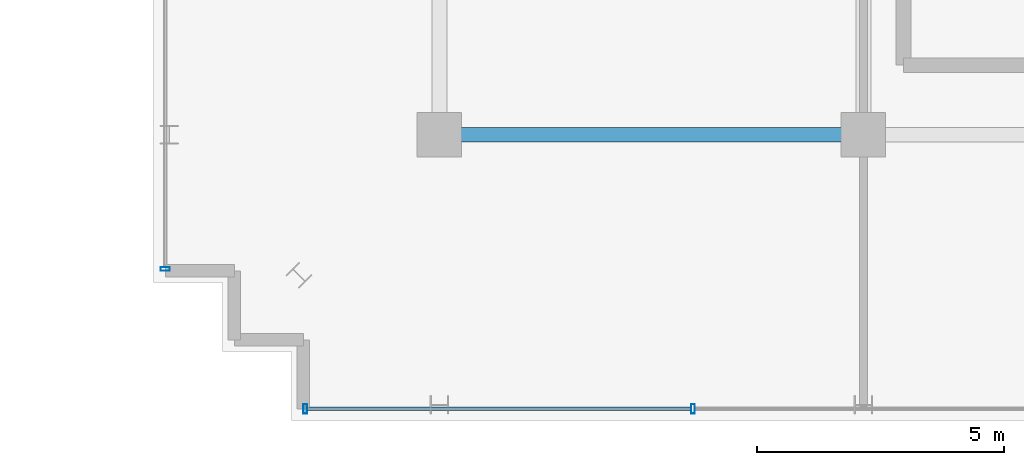
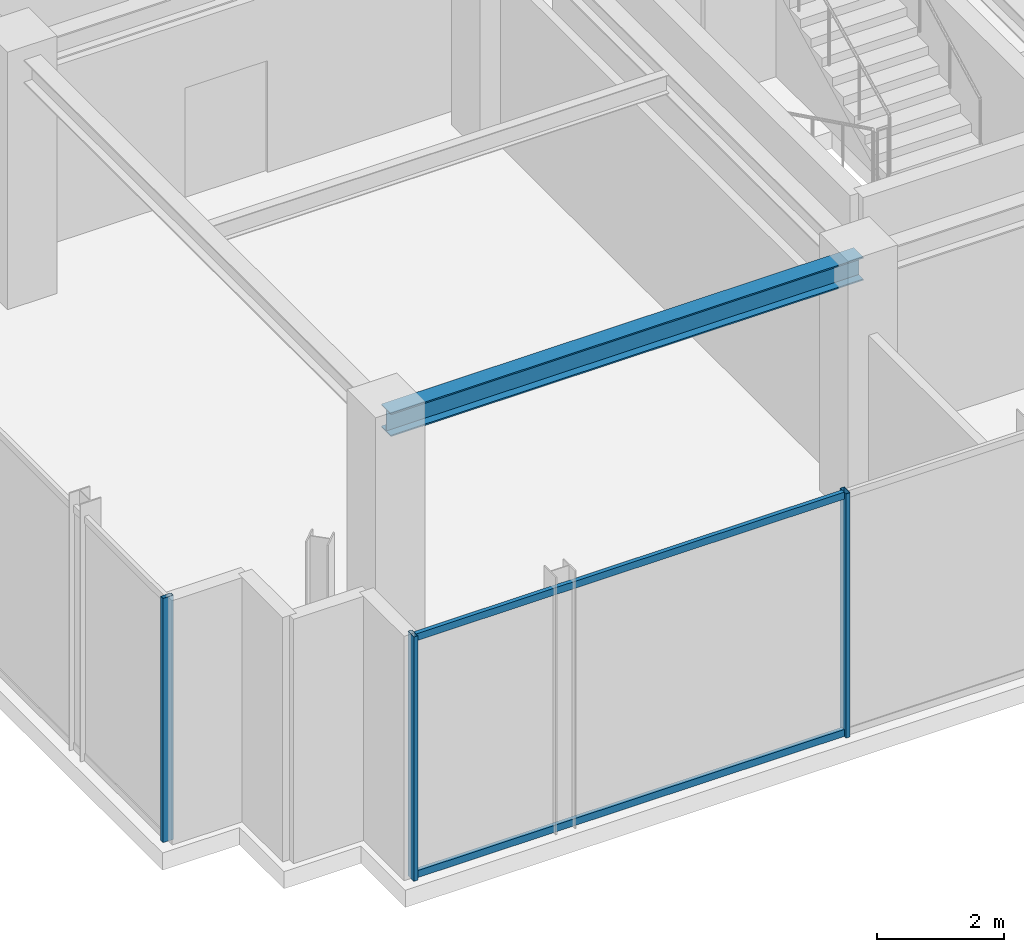
# One storey, part 4 of 28: 5 members, 1 beam, 2 elements without a shape of their own.
"""IFC4 building model written with IfcOpenShell, lengths in metres."""

from ifc_helpers import new_model, si_unit, direction, frame, origin, origin_2d, place, context, subcontext, project, spatial, hollow_rectangle, i_section, extrude, source, transform, mapped, material, material_profile, profile_set, type_object, element, aggregate, save


model = new_model("IFC4")

# Units and contexts
model_context = context("Model", 3, precision=1e-05, world=origin(), true_north=direction((0.0, 1.0)))
body_context = subcontext(model_context, "Body", "Model", "MODEL_VIEW")
ifc_project = project(units=[si_unit("LENGTHUNIT", "METRE"), si_unit("AREAUNIT", "SQUARE_METRE"), si_unit("VOLUMEUNIT", "CUBIC_METRE"), si_unit("PLANEANGLEUNIT", "RADIAN"), si_unit("MASSUNIT", "GRAM", prefix="KILO")], contexts=[model_context])

# Site, building, storey
site_placement = place(None, origin())
site = spatial("IfcSite", under=ifc_project, at=site_placement, CompositionType="ELEMENT")
building_placement = place(site_placement, origin())
building = spatial("IfcBuilding", under=site, at=building_placement, Name="Nahalor Promenade Grand Hotel", CompositionType="ELEMENT")
storey_placement = place(building_placement, frame((0.0, 0.0, 352.050048828125)))
storey = spatial("IfcBuildingStorey", under=building, at=storey_placement, Name="L90", CompositionType="ELEMENT", Elevation=352.050048828125)

# Beam
ifc_material_1 = material(Name="Steel S355JR", Category="steel")
ifc_material_profile_1 = material_profile(ifc_material_1, i_section(OverallWidth=0.3, OverallDepth=0.45, WebThickness=0.014, FlangeThickness=0.026, at=origin_2d()), Name="HEB 450")
ifc_profile_set_1 = profile_set([ifc_material_profile_1], Name="Steel S355JR")
beam_type = type_object("IfcBeamType", Name="Beam-Girder-HEB450", PredefinedType="BEAM", material=ifc_profile_set_1)
shared_shape_1 = source(origin(), body_context, "Body", "SweptSolid", [
    extrude(i_section(OverallWidth=0.3, OverallDepth=0.45, WebThickness=0.014, FlangeThickness=0.026, at=origin_2d()), origin(), (0.0, 0.0, 1.0), 8.60009765625),
])
beam_placement = place(storey_placement, frame((-17.0, -17.0, 4.474853515625), z_axis=(1.0, 0.0, 0.0), x_axis=(0.0, 1.0, 0.0)))
element("IfcBeam", 1, at=beam_placement, inside=storey, type_object=beam_type, Name="BM-L90-GX-0-0", PredefinedType="BEAM", context=body_context, shape_type="MappedRepresentation", body=[
    mapped(shared_shape_1, transform((0.0, 0.0, 0.0), scale=1.0)),
])

# Curtain wall, members
ifc_material_2 = material(Name="Anodised Bronze Aluminium EN AW-6063 T6", Category="aluminium")
curtain_wall_type = type_object("IfcCurtainWallType", Name="CW6 Crown Botanical Conservatory Curtain Wall", PredefinedType="USERDEFINED", material=ifc_material_2)
curtain_wall_1_placement = place(storey_placement, origin())
curtain_wall_1 = element("IfcCurtainWall", 2, at=curtain_wall_1_placement, inside=storey, type_object=curtain_wall_type, Name="L90 Curtain Wall CW-L90-S-1", ObjectType="UNITISED_CURTAIN_WALL", PredefinedType="USERDEFINED")
ifc_material_profile_2 = material_profile(ifc_material_2, hollow_rectangle(XDim=0.075, YDim=0.19, WallThickness=0.005, at=origin_2d()), Name="CWM 75x190x5")
ifc_profile_set_2 = profile_set([ifc_material_profile_2], Name="Anodised Bronze Aluminium EN AW-6063 T6")
member_type_1 = type_object("IfcMemberType", Name="CWM6 Conservatory Bronze Mullion 75x190", PredefinedType="MULLION", material=ifc_profile_set_2)
shared_shape_2 = source(origin(), body_context, "Body", "SweptSolid", [
    extrude(hollow_rectangle(XDim=0.075, YDim=0.19, WallThickness=0.005, at=origin_2d()), origin(), (0.0, 0.0, 1.0), 4.699951171875),
])
member_1_placement = place(storey_placement, frame((-19.722412109375, -22.56005859375, 0.0), z_axis=(0.0, 0.0, 1.0), x_axis=(1.0, 0.0, 0.0)))
member_1 = element("IfcMember", 3, at=member_1_placement, type_object=member_type_1, Name="CW-L90-S-1 Mullion 0", PredefinedType="MULLION", context=body_context, shape_type="MappedRepresentation", body=[
    mapped(shared_shape_2, transform((0.0, 0.0, 0.0), scale=1.0)),
])
member_2_placement = place(storey_placement, frame((-11.85595703125, -22.56005859375, 0.0), z_axis=(0.0, 0.0, 1.0), x_axis=(1.0, 0.0, 0.0)))
member_2 = element("IfcMember", 4, at=member_2_placement, type_object=member_type_1, Name="CW-L90-S-1 Mullion 1", PredefinedType="MULLION", context=body_context, shape_type="MappedRepresentation", body=[
    mapped(shared_shape_2, transform((0.0, 0.0, 0.0), scale=1.0)),
])

# Curtain wall, member
curtain_wall_2_placement = place(storey_placement, origin())
curtain_wall_2 = element("IfcCurtainWall", 5, at=curtain_wall_2_placement, inside=storey, type_object=curtain_wall_type, Name="L90 Curtain Wall CW-L90-W-1", ObjectType="UNITISED_CURTAIN_WALL", PredefinedType="USERDEFINED")
member_3_placement = place(storey_placement, frame((-22.56005859375, -19.722412109375, 0.0), z_axis=(0.0, 0.0, 1.0), x_axis=(0.0, 1.0, 0.0)))
member_3 = element("IfcMember", 6, at=member_3_placement, type_object=member_type_1, Name="CW-L90-W-1 Mullion 0", PredefinedType="MULLION", context=body_context, shape_type="MappedRepresentation", body=[
    mapped(shared_shape_2, transform((0.0, 0.0, 0.0), scale=1.0)),
])
aggregate(curtain_wall_2, [member_3])

# Member
ifc_material_profile_3 = material_profile(ifc_material_2, hollow_rectangle(XDim=0.075, YDim=0.135, WallThickness=0.004, at=origin_2d()), Name="CWT 75x135x4")
ifc_profile_set_3 = profile_set([ifc_material_profile_3], Name="Anodised Bronze Aluminium EN AW-6063 T6")
member_type_2 = type_object("IfcMemberType", Name="CWT6 Conservatory Transom 75x135", PredefinedType="USERDEFINED", material=ifc_profile_set_3)
shared_shape_3 = source(origin(), body_context, "Body", "SweptSolid", [
    extrude(hollow_rectangle(XDim=0.075, YDim=0.135, WallThickness=0.004, at=origin_2d()), origin(), (0.0, 0.0, 1.0), 7.79150390625),
])
member_4_placement = place(storey_placement, frame((-19.68505859375, -22.56005859375, 0.0673828125), z_axis=(1.0, 0.0, 0.0), x_axis=(0.0, 1.0, 0.0)))
member_4 = element("IfcMember", 7, at=member_4_placement, type_object=member_type_2, Name="CW-L90-S-1 Transom 0-0", ObjectType="TRANSOM", PredefinedType="USERDEFINED", context=body_context, shape_type="MappedRepresentation", body=[
    mapped(shared_shape_3, transform((0.0, 0.0, 0.0), scale=1.0)),
])

member_5_placement = place(storey_placement, frame((-19.68505859375, -22.56005859375, 4.632568359375), z_axis=(1.0, 0.0, 0.0), x_axis=(0.0, 1.0, 0.0)))
member_5 = element("IfcMember", 8, at=member_5_placement, type_object=member_type_2, Name="CW-L90-S-1 Transom 0-1", ObjectType="TRANSOM", PredefinedType="USERDEFINED", context=body_context, shape_type="MappedRepresentation", body=[
    mapped(shared_shape_3, transform((0.0, 0.0, 0.0), scale=1.0)),
])

aggregate(curtain_wall_1, [member_1, member_2, member_4, member_5])

save(model, "model.ifc")
